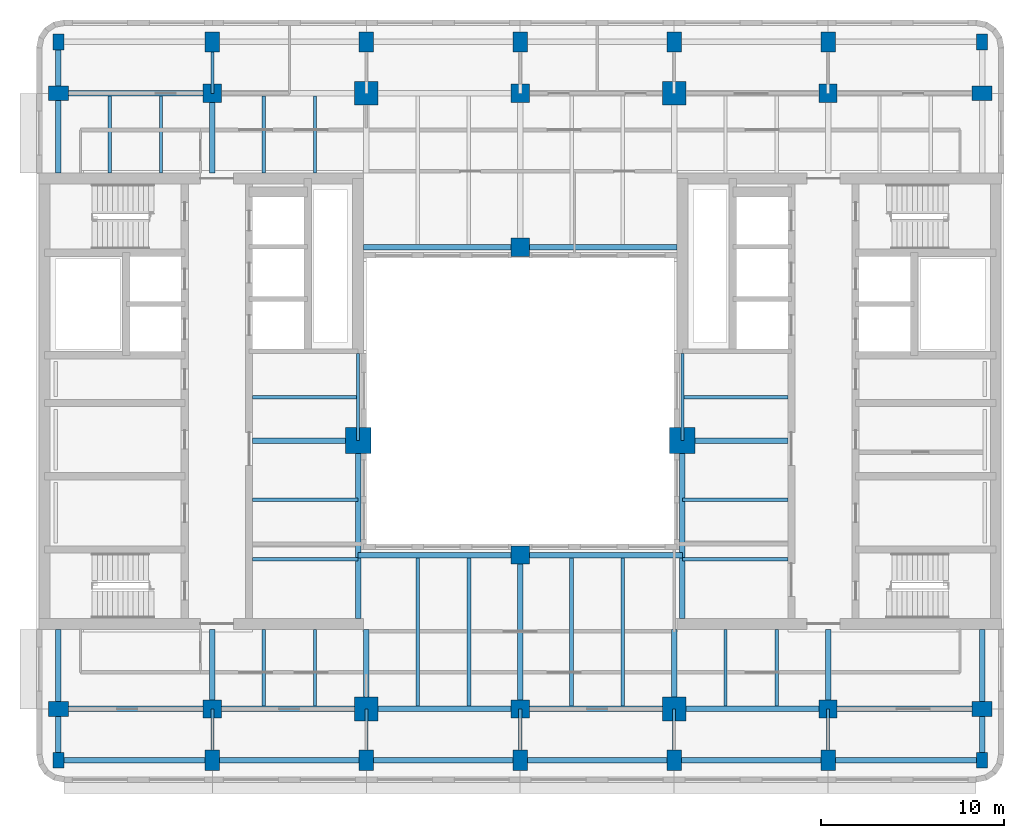
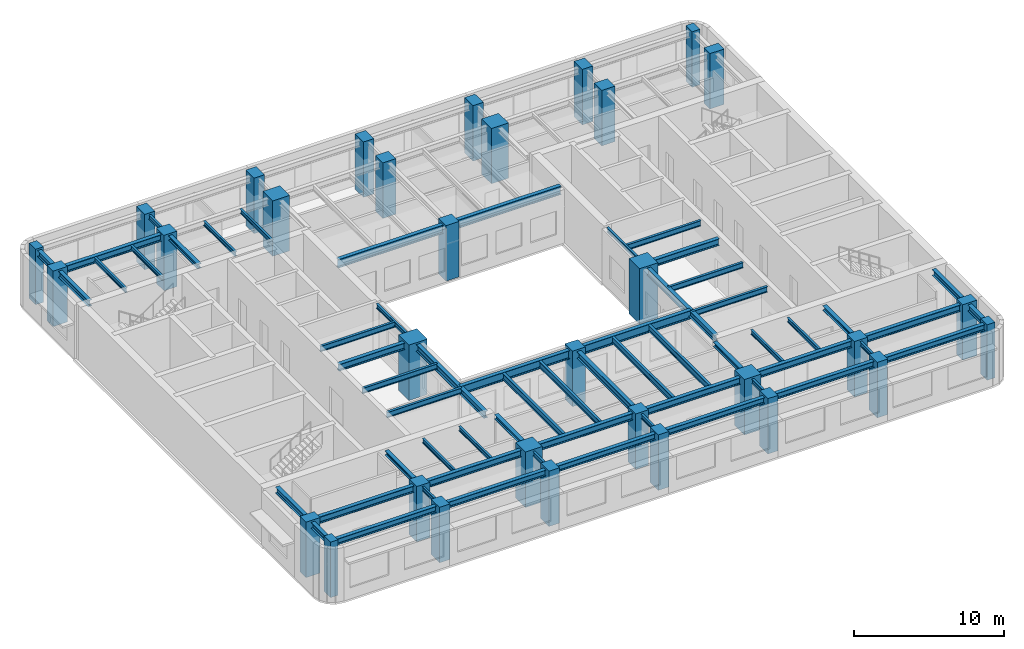
# One storey, part 1 of 11: 59 beams, 32 columns.
"""IFC4 building model written with IfcOpenShell, lengths in metres."""

from ifc_helpers import new_model, si_unit, direction, frame, origin, origin_2d, place, context, subcontext, project, spatial, rectangle, i_section, extrude, material, material_profile, profile_set, type_object, element, save


model = new_model("IFC4")

# Units and contexts
model_context = context("Model", 3, precision=1e-05, world=origin(), true_north=direction((0.0, 1.0)))
body_context = subcontext(model_context, "Body", "Model", "MODEL_VIEW")
ifc_project = project(units=[si_unit("LENGTHUNIT", "METRE"), si_unit("AREAUNIT", "SQUARE_METRE"), si_unit("VOLUMEUNIT", "CUBIC_METRE"), si_unit("PLANEANGLEUNIT", "RADIAN"), si_unit("MASSUNIT", "GRAM", prefix="KILO")], contexts=[model_context])

# Site, building, storey
site_placement = place(None, origin())
site = spatial("IfcSite", under=ifc_project, at=site_placement, CompositionType="ELEMENT")
building_placement = place(site_placement, origin())
building = spatial("IfcBuilding", under=site, at=building_placement, Name="Claustro Exchange Tower", CompositionType="ELEMENT")
storey_placement = place(building_placement, frame((0.0, 0.0, 272.699951171875)))
storey = spatial("IfcBuildingStorey", under=building, at=storey_placement, Name="L62", CompositionType="ELEMENT", Elevation=272.699951171875)

# Columns
ifc_material_1 = material(Name="Concrete HA-70 (C70/85)", Category="concrete")
ifc_material_profile_1 = material_profile(ifc_material_1, rectangle(XDim=1.39990234375, YDim=1.39990234375, at=origin_2d()), Name="RC 1400x1400")
ifc_profile_set_1 = profile_set([ifc_material_profile_1], Name="Concrete HA-70 (C70/85)")
column_type_1 = type_object("IfcColumnType", Name="C0 RC 1400x1400 HA-70 column", PredefinedType="COLUMN", material=ifc_profile_set_1)
for number, where, z_axis, x_axis, name in (
    (1, (16.35009765625, 23.050048828125, 0.0), (0.0, 0.0, 1.0), (1.0, 0.0, 0.0), "Column C0 2+7950/C+6250 L62"),
    (2, (34.050048828125, 23.050048828125, 0.0), (0.0, 0.0, 1.0), (1.0, 0.0, 0.0), "Column C0 5+450/C+6250 L62"),
):
    element("IfcColumn", number, at=place(storey_placement, frame(where, z_axis=z_axis, x_axis=x_axis)), inside=storey, type_object=column_type_1, Name=name, PredefinedType="COLUMN", context=body_context, shape_type="SweptSolid", body=[
        extrude(rectangle(XDim=1.39990234375, YDim=1.39990234375, at=origin_2d()), origin(), (0.0, 0.0, 1.0), 4.5),
    ])
ifc_material_2 = material(Name="Concrete HA-70 (C70/85)", Category="concrete")
ifc_material_profile_2 = material_profile(ifc_material_2, rectangle(XDim=1.0, YDim=1.0, at=origin_2d()), Name="RC 1000x1000")
ifc_profile_set_2 = profile_set([ifc_material_profile_2], Name="Concrete HA-70 (C70/85)")
column_type_2 = type_object("IfcColumnType", Name="C2 RC 1000x1000 HA-70 column", PredefinedType="COLUMN", material=ifc_profile_set_2)
for number, where, z_axis, x_axis, name in (
    (3, (8.39990234375, 8.39990234375, 0.0), (0.0, 0.0, 1.0), (1.0, 0.0, 0.0), "Column C2 2/B L62"),
    (4, (8.39990234375, 42.0, 0.0), (0.0, 0.0, 1.0), (1.0, 0.0, 0.0), "Column C2 2/F L62"),
    (5, (25.199951171875, 8.39990234375, 0.0), (0.0, 0.0, 1.0), (1.0, 0.0, 0.0), "Column C2 4/B L62"),
    (6, (25.199951171875, 42.0, 0.0), (0.0, 0.0, 1.0), (1.0, 0.0, 0.0), "Column C2 4/F L62"),
    (7, (25.199951171875, 16.800048828125, 0.0), (0.0, 0.0, 1.0), (1.0, 0.0, 0.0), "Column C2 4/C L62"),
    (8, (25.199951171875, 33.60009765625, 0.0), (0.0, 0.0, 1.0), (1.0, 0.0, 0.0), "Column C2 4/E L62"),
    (9, (42.0, 8.39990234375, 0.0), (0.0, 0.0, 1.0), (1.0, 0.0, 0.0), "Column C2 6/B L62"),
    (10, (42.0, 42.0, 0.0), (0.0, 0.0, 1.0), (1.0, 0.0, 0.0), "Column C2 6/F L62"),
):
    element("IfcColumn", number, at=place(storey_placement, frame(where, z_axis=z_axis, x_axis=x_axis)), inside=storey, type_object=column_type_2, Name=name, PredefinedType="COLUMN", context=body_context, shape_type="SweptSolid", body=[
        extrude(rectangle(XDim=1.0, YDim=1.0, at=origin_2d()), origin(), (0.0, 0.0, 1.0), 4.5),
    ])
ifc_material_3 = material(Name="Concrete HA-50 (C50/60)", Category="concrete")
ifc_material_profile_3 = material_profile(ifc_material_3, rectangle(XDim=0.800048828125, YDim=1.10009765625, at=origin_2d()), Name="RC 800x1100")
ifc_profile_set_3 = profile_set([ifc_material_profile_3], Name="Concrete HA-50 (C50/60)")
column_type_3 = type_object("IfcColumnType", Name="C23 RC 800x1100 HA-50 perimeter column", PredefinedType="COLUMN", material=ifc_profile_set_3)
for number, where, z_axis, x_axis, name in (
    (11, (0.0, 8.39990234375, 0.0), (0.0, 0.0, 1.0), (0.0, 1.0, 0.0), "Column C23 1/B L62"),
    (12, (0.0, 42.0, 0.0), (0.0, 0.0, 1.0), (0.0, 1.0, 0.0), "Column C23 1/F L62"),
    (13, (8.39990234375, 5.60009765625, 0.0), (0.0, 0.0, 1.0), (1.0, 0.0, 0.0), "Column C23 2/A+5600 L62"),
    (14, (8.39990234375, 44.800048828125, 0.0), (0.0, 0.0, 1.0), (1.0, 0.0, 0.0), "Column C23 2/F+2800 L62"),
    (15, (16.800048828125, 5.60009765625, 0.0), (0.0, 0.0, 1.0), (1.0, 0.0, 0.0), "Column C23 3/A+5600 L62"),
    (16, (16.800048828125, 44.800048828125, 0.0), (0.0, 0.0, 1.0), (1.0, 0.0, 0.0), "Column C23 3/F+2800 L62"),
    (17, (25.199951171875, 5.60009765625, 0.0), (0.0, 0.0, 1.0), (1.0, 0.0, 0.0), "Column C23 4/A+5600 L62"),
    (18, (25.199951171875, 44.800048828125, 0.0), (0.0, 0.0, 1.0), (1.0, 0.0, 0.0), "Column C23 4/F+2800 L62"),
    (19, (33.60009765625, 5.60009765625, 0.0), (0.0, 0.0, 1.0), (1.0, 0.0, 0.0), "Column C23 5/A+5600 L62"),
    (20, (33.60009765625, 44.800048828125, 0.0), (0.0, 0.0, 1.0), (1.0, 0.0, 0.0), "Column C23 5/F+2800 L62"),
    (21, (42.0, 5.60009765625, 0.0), (0.0, 0.0, 1.0), (1.0, 0.0, 0.0), "Column C23 6/A+5600 L62"),
    (22, (42.0, 44.800048828125, 0.0), (0.0, 0.0, 1.0), (1.0, 0.0, 0.0), "Column C23 6/F+2800 L62"),
    (23, (50.39990234375, 8.39990234375, 0.0), (0.0, 0.0, 1.0), (0.0, 1.0, 0.0), "Column C23 7/B L62"),
    (24, (50.39990234375, 42.0, 0.0), (0.0, 0.0, 1.0), (0.0, 1.0, 0.0), "Column C23 7/F L62"),
):
    element("IfcColumn", number, at=place(storey_placement, frame(where, z_axis=z_axis, x_axis=x_axis)), inside=storey, type_object=column_type_3, Name=name, PredefinedType="COLUMN", context=body_context, shape_type="SweptSolid", body=[
        extrude(rectangle(XDim=0.800048828125, YDim=1.10009765625, at=origin_2d()), origin(), (0.0, 0.0, 1.0), 4.5),
    ])
ifc_material_4 = material(Name="Concrete HA-50 (C50/60)", Category="concrete")
ifc_material_profile_4 = material_profile(ifc_material_4, rectangle(XDim=0.60009765625, YDim=0.85009765625, at=origin_2d()), Name="RC 600x850")
ifc_profile_set_4 = profile_set([ifc_material_profile_4], Name="Concrete HA-50 (C50/60)")
column_type_4 = type_object("IfcColumnType", Name="C25 RC 600x850 HA-50 corner column", PredefinedType="COLUMN", material=ifc_profile_set_4)
for number, where, z_axis, x_axis, name in (
    (25, (0.0, 5.60009765625, 0.0), (0.0, 0.0, 1.0), (1.0, 0.0, 0.0), "Column C25 1/A+5600 L62"),
    (26, (0.0, 44.800048828125, 0.0), (0.0, 0.0, 1.0), (1.0, 0.0, 0.0), "Column C25 1/F+2800 L62"),
    (27, (50.39990234375, 5.60009765625, 0.0), (0.0, 0.0, 1.0), (1.0, 0.0, 0.0), "Column C25 7/A+5600 L62"),
    (28, (50.39990234375, 44.800048828125, 0.0), (0.0, 0.0, 1.0), (1.0, 0.0, 0.0), "Column C25 7/F+2800 L62"),
):
    element("IfcColumn", number, at=place(storey_placement, frame(where, z_axis=z_axis, x_axis=x_axis)), inside=storey, type_object=column_type_4, Name=name, PredefinedType="COLUMN", context=body_context, shape_type="SweptSolid", body=[
        extrude(rectangle(XDim=0.60009765625, YDim=0.85009765625, at=origin_2d()), origin(), (0.0, 0.0, 1.0), 4.5),
    ])
ifc_material_5 = material(Name="Concrete HA-70 (C70/85)", Category="concrete")
ifc_material_profile_5 = material_profile(ifc_material_5, rectangle(XDim=1.300048828125, YDim=1.300048828125, at=origin_2d()), Name="RC 1300x1300")
ifc_profile_set_5 = profile_set([ifc_material_profile_5], Name="Concrete HA-70 (C70/85)")
column_type_5 = type_object("IfcColumnType", Name="C42 RC 1300x1300 HA-70 column", PredefinedType="COLUMN", material=ifc_profile_set_5)
for number, where, z_axis, x_axis, name in (
    (29, (16.800048828125, 8.39990234375, 0.0), (0.0, 0.0, 1.0), (1.0, 0.0, 0.0), "Column C42 3/B L62"),
    (30, (16.800048828125, 42.0, 0.0), (0.0, 0.0, 1.0), (1.0, 0.0, 0.0), "Column C42 3/F L62"),
    (31, (33.60009765625, 8.39990234375, 0.0), (0.0, 0.0, 1.0), (1.0, 0.0, 0.0), "Column C42 5/B L62"),
    (32, (33.60009765625, 42.0, 0.0), (0.0, 0.0, 1.0), (1.0, 0.0, 0.0), "Column C42 5/F L62"),
):
    element("IfcColumn", number, at=place(storey_placement, frame(where, z_axis=z_axis, x_axis=x_axis)), inside=storey, type_object=column_type_5, Name=name, PredefinedType="COLUMN", context=body_context, shape_type="SweptSolid", body=[
        extrude(rectangle(XDim=1.300048828125, YDim=1.300048828125, at=origin_2d()), origin(), (0.0, 0.0, 1.0), 4.5),
    ])

# Beams
ifc_material_6 = material(Name="Steel S355", Category="steel")
ifc_material_profile_6 = material_profile(ifc_material_6, i_section(OverallWidth=0.300048828125, OverallDepth=0.68994140625, WebThickness=0.014404296875, FlangeThickness=0.027099609375, FilletRadius=0.027099609375, at=origin_2d()), Name="HE 700 A")
ifc_profile_set_6 = profile_set([ifc_material_profile_6], Name="Steel S355")
beam_type_1 = type_object("IfcBeamType", Name="B13 HE 700 A light well edge girder", PredefinedType="BEAM", material=ifc_profile_set_6)
beam_1_placement = place(storey_placement, frame((16.35009765625, 16.800048828125, 4.005126953125), z_axis=(1.0, 0.0, 0.0), x_axis=(0.0, 1.0, 0.0)))
element("IfcBeam", 33, at=beam_1_placement, inside=storey, type_object=beam_type_1, Name="Beam B13 L63", PredefinedType="BEAM", context=body_context, shape_type="SweptSolid", body=[
    extrude(i_section(OverallWidth=0.300048828125, OverallDepth=0.68994140625, WebThickness=0.014404296875, FlangeThickness=0.027099609375, FilletRadius=0.027099609375, at=origin_2d()), origin(), (0.0, 0.0, 1.0), 8.849853515625),
])
beam_2_placement = place(storey_placement, frame((25.199951171875, 16.800048828125, 4.005126953125), z_axis=(1.0, 0.0, 0.0), x_axis=(0.0, 1.0, 0.0)))
element("IfcBeam", 34, at=beam_2_placement, inside=storey, type_object=beam_type_1, Name="Beam B13 L63", PredefinedType="BEAM", context=body_context, shape_type="SweptSolid", body=[
    extrude(i_section(OverallWidth=0.300048828125, OverallDepth=0.68994140625, WebThickness=0.014404296875, FlangeThickness=0.027099609375, FilletRadius=0.027099609375, at=origin_2d()), origin(), (0.0, 0.0, 1.0), 8.85009765625),
])
for number, where, z_axis, x_axis, name in (
    (35, (16.64990234375, 33.60009765625, 4.005126953125), (1.0, 0.0, 0.0), (0.0, 1.0, 0.0), "Beam B13 L63"),
    (36, (25.199951171875, 33.60009765625, 4.005126953125), (1.0, 0.0, 0.0), (0.0, 1.0, 0.0), "Beam B13 L63"),
):
    element("IfcBeam", number, at=place(storey_placement, frame(where, z_axis=z_axis, x_axis=x_axis)), inside=storey, type_object=beam_type_1, Name=name, PredefinedType="BEAM", context=body_context, shape_type="SweptSolid", body=[
        extrude(i_section(OverallWidth=0.300048828125, OverallDepth=0.68994140625, WebThickness=0.014404296875, FlangeThickness=0.027099609375, FilletRadius=0.027099609375, at=origin_2d()), origin(), (0.0, 0.0, 1.0), 8.550048828125),
    ])
ifc_material_7 = material(Name="Steel S355", Category="steel")
ifc_material_profile_7 = material_profile(ifc_material_7, i_section(OverallWidth=0.169921875, OverallDepth=0.360107421875, WebThickness=0.008056640625, FlangeThickness=0.0126953125, FilletRadius=0.01806640625, at=origin_2d()), Name="IPE 360")
ifc_profile_set_7 = profile_set([ifc_material_profile_7], Name="Steel S355")
beam_type_2 = type_object("IfcBeamType", Name="B16 IPE 360 short-span beam", PredefinedType="BEAM", material=ifc_profile_set_7)
beam_3_placement = place(storey_placement, frame((8.39990234375, 5.60009765625, 4.170166015625), z_axis=(0.0, 1.0, 0.0), x_axis=(-1.0, 0.0, 0.0)))
element("IfcBeam", 37, at=beam_3_placement, inside=storey, type_object=beam_type_2, Name="Beam B16 L63", PredefinedType="BEAM", context=body_context, shape_type="SweptSolid", body=[
    extrude(i_section(OverallWidth=0.169921875, OverallDepth=0.360107421875, WebThickness=0.008056640625, FlangeThickness=0.0126953125, FilletRadius=0.01806640625, at=origin_2d()), origin(), (0.0, 0.0, 1.0), 2.7998046875),
])
beam_4_placement = place(storey_placement, frame((8.39990234375, 42.0, 4.170166015625), z_axis=(0.0, 1.0, 0.0), x_axis=(-1.0, 0.0, 0.0)))
element("IfcBeam", 38, at=beam_4_placement, inside=storey, type_object=beam_type_2, Name="Beam B16 L63", PredefinedType="BEAM", context=body_context, shape_type="SweptSolid", body=[
    extrude(i_section(OverallWidth=0.169921875, OverallDepth=0.360107421875, WebThickness=0.008056640625, FlangeThickness=0.0126953125, FilletRadius=0.01806640625, at=origin_2d()), origin(), (0.0, 0.0, 1.0), 2.800048828125),
])
for number, where, z_axis, x_axis, name in (
    (39, (16.800048828125, 5.60009765625, 4.170166015625), (0.0, 1.0, 0.0), (-1.0, 0.0, 0.0), "Beam B16 L63"),
    (40, (25.199951171875, 5.60009765625, 4.170166015625), (0.0, 1.0, 0.0), (-1.0, 0.0, 0.0), "Beam B16 L63"),
    (41, (33.60009765625, 5.60009765625, 4.170166015625), (0.0, 1.0, 0.0), (-1.0, 0.0, 0.0), "Beam B16 L63"),
    (42, (42.0, 5.60009765625, 4.170166015625), (0.0, 1.0, 0.0), (-1.0, 0.0, 0.0), "Beam B16 L63"),
):
    element("IfcBeam", number, at=place(storey_placement, frame(where, z_axis=z_axis, x_axis=x_axis)), inside=storey, type_object=beam_type_2, Name=name, PredefinedType="BEAM", context=body_context, shape_type="SweptSolid", body=[
        extrude(i_section(OverallWidth=0.169921875, OverallDepth=0.360107421875, WebThickness=0.008056640625, FlangeThickness=0.0126953125, FilletRadius=0.01806640625, at=origin_2d()), origin(), (0.0, 0.0, 1.0), 2.7998046875),
    ])
for number, where, z_axis, x_axis, name in (
    (43, (2.800048828125, 37.64990234375, 4.170166015625), (0.0, 1.0, 0.0), (-1.0, 0.0, 0.0), "Beam B16 L63"),
    (44, (5.60009765625, 37.64990234375, 4.170166015625), (0.0, 1.0, 0.0), (-1.0, 0.0, 0.0), "Beam B16 L63"),
):
    element("IfcBeam", number, at=place(storey_placement, frame(where, z_axis=z_axis, x_axis=x_axis)), inside=storey, type_object=beam_type_2, Name=name, PredefinedType="BEAM", context=body_context, shape_type="SweptSolid", body=[
        extrude(i_section(OverallWidth=0.169921875, OverallDepth=0.360107421875, WebThickness=0.008056640625, FlangeThickness=0.0126953125, FilletRadius=0.01806640625, at=origin_2d()), origin(), (0.0, 0.0, 1.0), 4.2001953125),
    ])
for number, where, z_axis, x_axis, name in (
    (45, (11.199951171875, 8.550048828125, 4.170166015625), (0.0, 1.0, 0.0), (-1.0, 0.0, 0.0), "Beam B16 L63"),
    (46, (14.0, 8.550048828125, 4.170166015625), (0.0, 1.0, 0.0), (-1.0, 0.0, 0.0), "Beam B16 L63"),
):
    element("IfcBeam", number, at=place(storey_placement, frame(where, z_axis=z_axis, x_axis=x_axis)), inside=storey, type_object=beam_type_2, Name=name, PredefinedType="BEAM", context=body_context, shape_type="SweptSolid", body=[
        extrude(i_section(OverallWidth=0.169921875, OverallDepth=0.360107421875, WebThickness=0.008056640625, FlangeThickness=0.0126953125, FilletRadius=0.01806640625, at=origin_2d()), origin(), (0.0, 0.0, 1.0), 4.199951171875),
    ])
for number, where, z_axis, x_axis, name in (
    (47, (11.199951171875, 37.64990234375, 4.170166015625), (0.0, 1.0, 0.0), (-1.0, 0.0, 0.0), "Beam B16 L63"),
    (48, (14.0, 37.64990234375, 4.170166015625), (0.0, 1.0, 0.0), (-1.0, 0.0, 0.0), "Beam B16 L63"),
):
    element("IfcBeam", number, at=place(storey_placement, frame(where, z_axis=z_axis, x_axis=x_axis)), inside=storey, type_object=beam_type_2, Name=name, PredefinedType="BEAM", context=body_context, shape_type="SweptSolid", body=[
        extrude(i_section(OverallWidth=0.169921875, OverallDepth=0.360107421875, WebThickness=0.008056640625, FlangeThickness=0.0126953125, FilletRadius=0.01806640625, at=origin_2d()), origin(), (0.0, 0.0, 1.0), 4.2001953125),
    ])
for number, where, z_axis, x_axis, name in (
    (49, (36.39990234375, 8.550048828125, 4.170166015625), (0.0, 1.0, 0.0), (-1.0, 0.0, 0.0), "Beam B16 L63"),
    (50, (39.199951171875, 8.550048828125, 4.170166015625), (0.0, 1.0, 0.0), (-1.0, 0.0, 0.0), "Beam B16 L63"),
):
    element("IfcBeam", number, at=place(storey_placement, frame(where, z_axis=z_axis, x_axis=x_axis)), inside=storey, type_object=beam_type_2, Name=name, PredefinedType="BEAM", context=body_context, shape_type="SweptSolid", body=[
        extrude(i_section(OverallWidth=0.169921875, OverallDepth=0.360107421875, WebThickness=0.008056640625, FlangeThickness=0.0126953125, FilletRadius=0.01806640625, at=origin_2d()), origin(), (0.0, 0.0, 1.0), 4.199951171875),
    ])
for number, where, z_axis, x_axis, name in (
    (51, (16.35009765625, 23.050048828125, 4.170166015625), (0.0, 1.0, 0.0), (-1.0, 0.0, 0.0), "Beam B16 core step framing L63"),
    (52, (34.050048828125, 23.050048828125, 4.170166015625), (0.0, 1.0, 0.0), (-1.0, 0.0, 0.0), "Beam B16 core step framing L63"),
):
    element("IfcBeam", number, at=place(storey_placement, frame(where, z_axis=z_axis, x_axis=x_axis)), inside=storey, type_object=beam_type_2, Name=name, PredefinedType="BEAM", context=body_context, shape_type="SweptSolid", body=[
        extrude(i_section(OverallWidth=0.169921875, OverallDepth=0.360107421875, WebThickness=0.008056640625, FlangeThickness=0.0126953125, FilletRadius=0.01806640625, at=origin_2d()), origin(), (0.0, 0.0, 1.0), 4.75),
    ])
ifc_material_8 = material(Name="Steel S355", Category="steel")
ifc_material_profile_8 = material_profile(ifc_material_8, i_section(OverallWidth=0.300048828125, OverallDepth=0.550048828125, WebThickness=0.014892578125, FlangeThickness=0.029052734375, FilletRadius=0.027099609375, at=origin_2d()), Name="HE 550 B")
ifc_profile_set_8 = profile_set([ifc_material_profile_8], Name="Steel S355")
beam_type_3 = type_object("IfcBeamType", Name="B17 HE 550 B floor girder", PredefinedType="BEAM", material=ifc_profile_set_8)
beam_5_placement = place(storey_placement, frame((25.199951171875, 8.39990234375, 4.074951171875), z_axis=(0.0, 1.0, 0.0), x_axis=(-1.0, 0.0, 0.0)))
element("IfcBeam", 53, at=beam_5_placement, inside=storey, type_object=beam_type_3, Name="Beam B17 L63", PredefinedType="BEAM", context=body_context, shape_type="SweptSolid", body=[
    extrude(i_section(OverallWidth=0.300048828125, OverallDepth=0.550048828125, WebThickness=0.014892578125, FlangeThickness=0.029052734375, FilletRadius=0.027099609375, at=origin_2d()), origin(), (0.0, 0.0, 1.0), 8.400146484375),
])
beam_6_placement = place(storey_placement, frame((0.0, 8.39990234375, 4.074951171875), z_axis=(1.0, 0.0, 0.0), x_axis=(0.0, 1.0, 0.0)))
element("IfcBeam", 54, at=beam_6_placement, inside=storey, type_object=beam_type_3, Name="Beam B17 L63", PredefinedType="BEAM", context=body_context, shape_type="SweptSolid", body=[
    extrude(i_section(OverallWidth=0.300048828125, OverallDepth=0.550048828125, WebThickness=0.014892578125, FlangeThickness=0.029052734375, FilletRadius=0.027099609375, at=origin_2d()), origin(), (0.0, 0.0, 1.0), 8.39990234375),
])
beam_7_placement = place(storey_placement, frame((8.39990234375, 8.39990234375, 4.074951171875), z_axis=(1.0, 0.0, 0.0), x_axis=(0.0, 1.0, 0.0)))
element("IfcBeam", 55, at=beam_7_placement, inside=storey, type_object=beam_type_3, Name="Beam B17 L63", PredefinedType="BEAM", context=body_context, shape_type="SweptSolid", body=[
    extrude(i_section(OverallWidth=0.300048828125, OverallDepth=0.550048828125, WebThickness=0.014892578125, FlangeThickness=0.029052734375, FilletRadius=0.027099609375, at=origin_2d()), origin(), (0.0, 0.0, 1.0), 8.400146484375),
])
beam_8_placement = place(storey_placement, frame((16.800048828125, 8.39990234375, 4.074951171875), z_axis=(1.0, 0.0, 0.0), x_axis=(0.0, 1.0, 0.0)))
element("IfcBeam", 56, at=beam_8_placement, inside=storey, type_object=beam_type_3, Name="Beam B17 L63", PredefinedType="BEAM", context=body_context, shape_type="SweptSolid", body=[
    extrude(i_section(OverallWidth=0.300048828125, OverallDepth=0.550048828125, WebThickness=0.014892578125, FlangeThickness=0.029052734375, FilletRadius=0.027099609375, at=origin_2d()), origin(), (0.0, 0.0, 1.0), 8.39990234375),
])
beam_9_placement = place(storey_placement, frame((25.199951171875, 8.39990234375, 4.074951171875), z_axis=(1.0, 0.0, 0.0), x_axis=(0.0, 1.0, 0.0)))
element("IfcBeam", 57, at=beam_9_placement, inside=storey, type_object=beam_type_3, Name="Beam B17 L63", PredefinedType="BEAM", context=body_context, shape_type="SweptSolid", body=[
    extrude(i_section(OverallWidth=0.300048828125, OverallDepth=0.550048828125, WebThickness=0.014892578125, FlangeThickness=0.029052734375, FilletRadius=0.027099609375, at=origin_2d()), origin(), (0.0, 0.0, 1.0), 8.400146484375),
])
for number, where, z_axis, x_axis, name in (
    (58, (33.60009765625, 8.39990234375, 4.074951171875), (1.0, 0.0, 0.0), (0.0, 1.0, 0.0), "Beam B17 L63"),
    (59, (42.0, 8.39990234375, 4.074951171875), (1.0, 0.0, 0.0), (0.0, 1.0, 0.0), "Beam B17 L63"),
    (60, (0.0, 42.0, 4.074951171875), (1.0, 0.0, 0.0), (0.0, 1.0, 0.0), "Beam B17 L63"),
):
    element("IfcBeam", number, at=place(storey_placement, frame(where, z_axis=z_axis, x_axis=x_axis)), inside=storey, type_object=beam_type_3, Name=name, PredefinedType="BEAM", context=body_context, shape_type="SweptSolid", body=[
        extrude(i_section(OverallWidth=0.300048828125, OverallDepth=0.550048828125, WebThickness=0.014892578125, FlangeThickness=0.029052734375, FilletRadius=0.027099609375, at=origin_2d()), origin(), (0.0, 0.0, 1.0), 8.39990234375),
    ])
beam_10_placement = place(storey_placement, frame((10.60009765625, 23.050048828125, 4.074951171875), z_axis=(1.0, 0.0, 0.0), x_axis=(0.0, 1.0, 0.0)))
element("IfcBeam", 61, at=beam_10_placement, inside=storey, type_object=beam_type_3, Name="Beam B17 core step framing L63", PredefinedType="BEAM", context=body_context, shape_type="SweptSolid", body=[
    extrude(i_section(OverallWidth=0.300048828125, OverallDepth=0.550048828125, WebThickness=0.014892578125, FlangeThickness=0.029052734375, FilletRadius=0.027099609375, at=origin_2d()), origin(), (0.0, 0.0, 1.0), 5.75),
])
beam_11_placement = place(storey_placement, frame((16.35009765625, 13.35009765625, 4.074951171875), z_axis=(0.0, 1.0, 0.0), x_axis=(-1.0, 0.0, 0.0)))
element("IfcBeam", 62, at=beam_11_placement, inside=storey, type_object=beam_type_3, Name="Beam B17 core step framing L63", PredefinedType="BEAM", context=body_context, shape_type="SweptSolid", body=[
    extrude(i_section(OverallWidth=0.300048828125, OverallDepth=0.550048828125, WebThickness=0.014892578125, FlangeThickness=0.029052734375, FilletRadius=0.027099609375, at=origin_2d()), origin(), (0.0, 0.0, 1.0), 9.699951171875),
])
beam_12_placement = place(storey_placement, frame((34.050048828125, 23.050048828125, 4.074951171875), z_axis=(1.0, 0.0, 0.0), x_axis=(0.0, 1.0, 0.0)))
element("IfcBeam", 63, at=beam_12_placement, inside=storey, type_object=beam_type_3, Name="Beam B17 core step framing L63", PredefinedType="BEAM", context=body_context, shape_type="SweptSolid", body=[
    extrude(i_section(OverallWidth=0.300048828125, OverallDepth=0.550048828125, WebThickness=0.014892578125, FlangeThickness=0.029052734375, FilletRadius=0.027099609375, at=origin_2d()), origin(), (0.0, 0.0, 1.0), 5.75),
])
beam_13_placement = place(storey_placement, frame((34.050048828125, 13.35009765625, 4.074951171875), z_axis=(0.0, 1.0, 0.0), x_axis=(-1.0, 0.0, 0.0)))
element("IfcBeam", 64, at=beam_13_placement, inside=storey, type_object=beam_type_3, Name="Beam B17 core step framing L63", PredefinedType="BEAM", context=body_context, shape_type="SweptSolid", body=[
    extrude(i_section(OverallWidth=0.300048828125, OverallDepth=0.550048828125, WebThickness=0.014892578125, FlangeThickness=0.029052734375, FilletRadius=0.027099609375, at=origin_2d()), origin(), (0.0, 0.0, 1.0), 9.699951171875),
])
ifc_material_9 = material(Name="Steel S355", Category="steel")
ifc_material_profile_9 = material_profile(ifc_material_9, i_section(OverallWidth=0.300048828125, OverallDepth=0.360107421875, WebThickness=0.012451171875, FlangeThickness=0.0224609375, FilletRadius=0.027099609375, at=origin_2d()), Name="HE 360 B")
ifc_profile_set_9 = profile_set([ifc_material_profile_9], Name="Steel S355")
beam_type_4 = type_object("IfcBeamType", Name="B29 HE 360 B column to core link beam", PredefinedType="BEAM", material=ifc_profile_set_9)
for number, where, z_axis, x_axis, name in (
    (65, (8.39990234375, 8.39990234375, 4.170166015625), (0.0, 1.0, 0.0), (-1.0, 0.0, 0.0), "Beam B29 L63"),
    (66, (8.39990234375, 37.64990234375, 4.170166015625), (0.0, 1.0, 0.0), (-1.0, 0.0, 0.0), "Beam B29 L63"),
    (67, (16.800048828125, 8.39990234375, 4.170166015625), (0.0, 1.0, 0.0), (-1.0, 0.0, 0.0), "Beam B29 L63"),
    (68, (33.60009765625, 8.39990234375, 4.170166015625), (0.0, 1.0, 0.0), (-1.0, 0.0, 0.0), "Beam B29 L63"),
    (69, (42.0, 8.39990234375, 4.170166015625), (0.0, 1.0, 0.0), (-1.0, 0.0, 0.0), "Beam B29 L63"),
):
    element("IfcBeam", number, at=place(storey_placement, frame(where, z_axis=z_axis, x_axis=x_axis)), inside=storey, type_object=beam_type_4, Name=name, PredefinedType="BEAM", context=body_context, shape_type="SweptSolid", body=[
        extrude(i_section(OverallWidth=0.300048828125, OverallDepth=0.360107421875, WebThickness=0.012451171875, FlangeThickness=0.0224609375, FilletRadius=0.027099609375, at=origin_2d()), origin(), (0.0, 0.0, 1.0), 4.35009765625),
    ])
ifc_material_10 = material(Name="Steel S355", Category="steel")
ifc_material_profile_10 = material_profile(ifc_material_10, i_section(OverallWidth=0.18994140625, OverallDepth=0.449951171875, WebThickness=0.009521484375, FlangeThickness=0.0146484375, FilletRadius=0.02099609375, at=origin_2d()), Name="IPE 450")
ifc_profile_set_10 = profile_set([ifc_material_profile_10], Name="Steel S355")
beam_type_5 = type_object("IfcBeamType", Name="B8 IPE 450 secondary beam", PredefinedType="BEAM", material=ifc_profile_set_10)
for number, where, z_axis, x_axis, name in (
    (70, (10.60009765625, 16.583251953125, 4.125), (1.0, 0.0, 0.0), (0.0, 1.0, 0.0), "Beam B8 core step framing L63"),
    (71, (10.60009765625, 19.816650390625, 4.125), (1.0, 0.0, 0.0), (0.0, 1.0, 0.0), "Beam B8 core step framing L63"),
    (72, (10.60009765625, 25.425048828125, 4.125), (1.0, 0.0, 0.0), (0.0, 1.0, 0.0), "Beam B8 core step framing L63"),
    (73, (34.050048828125, 16.583251953125, 4.125), (1.0, 0.0, 0.0), (0.0, 1.0, 0.0), "Beam B8 core step framing L63"),
    (74, (34.050048828125, 19.816650390625, 4.125), (1.0, 0.0, 0.0), (0.0, 1.0, 0.0), "Beam B8 core step framing L63"),
    (75, (34.050048828125, 25.425048828125, 4.125), (1.0, 0.0, 0.0), (0.0, 1.0, 0.0), "Beam B8 core step framing L63"),
):
    element("IfcBeam", number, at=place(storey_placement, frame(where, z_axis=z_axis, x_axis=x_axis)), inside=storey, type_object=beam_type_5, Name=name, PredefinedType="BEAM", context=body_context, shape_type="SweptSolid", body=[
        extrude(i_section(OverallWidth=0.18994140625, OverallDepth=0.449951171875, WebThickness=0.009521484375, FlangeThickness=0.0146484375, FilletRadius=0.02099609375, at=origin_2d()), origin(), (0.0, 0.0, 1.0), 5.75),
    ])
ifc_material_11 = material(Name="Steel S355", Category="steel")
ifc_material_profile_11 = material_profile(ifc_material_11, i_section(OverallWidth=0.199951171875, OverallDepth=0.5, WebThickness=0.01025390625, FlangeThickness=0.01611328125, FilletRadius=0.02099609375, at=origin_2d()), Name="IPE 500")
ifc_profile_set_11 = profile_set([ifc_material_profile_11], Name="Steel S355")
beam_type_6 = type_object("IfcBeamType", Name="B8A IPE 500 secondary beam", PredefinedType="BEAM", material=ifc_profile_set_11)
for number, where, z_axis, x_axis, name in (
    (76, (19.60009765625, 8.550048828125, 4.10009765625), (0.0, 1.0, 0.0), (-1.0, 0.0, 0.0), "Beam B8A L63"),
    (77, (22.39990234375, 8.550048828125, 4.10009765625), (0.0, 1.0, 0.0), (-1.0, 0.0, 0.0), "Beam B8A L63"),
    (78, (28.0, 8.550048828125, 4.10009765625), (0.0, 1.0, 0.0), (-1.0, 0.0, 0.0), "Beam B8A L63"),
    (79, (30.800048828125, 8.550048828125, 4.10009765625), (0.0, 1.0, 0.0), (-1.0, 0.0, 0.0), "Beam B8A L63"),
):
    element("IfcBeam", number, at=place(storey_placement, frame(where, z_axis=z_axis, x_axis=x_axis)), inside=storey, type_object=beam_type_6, Name=name, PredefinedType="BEAM", context=body_context, shape_type="SweptSolid", body=[
        extrude(i_section(OverallWidth=0.199951171875, OverallDepth=0.5, WebThickness=0.01025390625, FlangeThickness=0.01611328125, FilletRadius=0.02099609375, at=origin_2d()), origin(), (0.0, 0.0, 1.0), 8.099853515625),
    ])
ifc_material_12 = material(Name="Steel S355", Category="steel")
ifc_material_profile_12 = material_profile(ifc_material_12, i_section(OverallWidth=0.300048828125, OverallDepth=0.489990234375, WebThickness=0.011962890625, FlangeThickness=0.02294921875, FilletRadius=0.027099609375, at=origin_2d()), Name="HE 500 A")
ifc_profile_set_12 = profile_set([ifc_material_profile_12], Name="Steel S355")
beam_type_7 = type_object("IfcBeamType", Name="B9 HE 500 A spandrel edge girder", PredefinedType="SPANDREL", material=ifc_profile_set_12)
beam_14_placement = place(storey_placement, frame((0.0, 5.60009765625, 4.10498046875), z_axis=(0.0, 1.0, 0.0), x_axis=(-1.0, 0.0, 0.0)))
element("IfcBeam", 80, at=beam_14_placement, inside=storey, type_object=beam_type_7, Name="Beam B9 L63", PredefinedType="SPANDREL", context=body_context, shape_type="SweptSolid", body=[
    extrude(i_section(OverallWidth=0.300048828125, OverallDepth=0.489990234375, WebThickness=0.011962890625, FlangeThickness=0.02294921875, FilletRadius=0.027099609375, at=origin_2d()), origin(), (0.0, 0.0, 1.0), 2.7998046875),
])
for number, where, z_axis, x_axis, name in (
    (81, (0.0, 8.39990234375, 4.10498046875), (0.0, 1.0, 0.0), (-1.0, 0.0, 0.0), "Beam B9 L63"),
    (82, (0.0, 37.64990234375, 4.10498046875), (0.0, 1.0, 0.0), (-1.0, 0.0, 0.0), "Beam B9 L63"),
):
    element("IfcBeam", number, at=place(storey_placement, frame(where, z_axis=z_axis, x_axis=x_axis)), inside=storey, type_object=beam_type_7, Name=name, PredefinedType="SPANDREL", context=body_context, shape_type="SweptSolid", body=[
        extrude(i_section(OverallWidth=0.300048828125, OverallDepth=0.489990234375, WebThickness=0.011962890625, FlangeThickness=0.02294921875, FilletRadius=0.027099609375, at=origin_2d()), origin(), (0.0, 0.0, 1.0), 4.35009765625),
    ])
beam_15_placement = place(storey_placement, frame((0.0, 42.0, 4.10498046875), z_axis=(0.0, 1.0, 0.0), x_axis=(-1.0, 0.0, 0.0)))
element("IfcBeam", 83, at=beam_15_placement, inside=storey, type_object=beam_type_7, Name="Beam B9 L63", PredefinedType="SPANDREL", context=body_context, shape_type="SweptSolid", body=[
    extrude(i_section(OverallWidth=0.300048828125, OverallDepth=0.489990234375, WebThickness=0.011962890625, FlangeThickness=0.02294921875, FilletRadius=0.027099609375, at=origin_2d()), origin(), (0.0, 0.0, 1.0), 2.800048828125),
])
beam_16_placement = place(storey_placement, frame((50.39990234375, 5.60009765625, 4.10498046875), z_axis=(0.0, 1.0, 0.0), x_axis=(-1.0, 0.0, 0.0)))
element("IfcBeam", 84, at=beam_16_placement, inside=storey, type_object=beam_type_7, Name="Beam B9 L63", PredefinedType="SPANDREL", context=body_context, shape_type="SweptSolid", body=[
    extrude(i_section(OverallWidth=0.300048828125, OverallDepth=0.489990234375, WebThickness=0.011962890625, FlangeThickness=0.02294921875, FilletRadius=0.027099609375, at=origin_2d()), origin(), (0.0, 0.0, 1.0), 2.7998046875),
])
beam_17_placement = place(storey_placement, frame((50.39990234375, 8.39990234375, 4.10498046875), z_axis=(0.0, 1.0, 0.0), x_axis=(-1.0, 0.0, 0.0)))
element("IfcBeam", 85, at=beam_17_placement, inside=storey, type_object=beam_type_7, Name="Beam B9 L63", PredefinedType="SPANDREL", context=body_context, shape_type="SweptSolid", body=[
    extrude(i_section(OverallWidth=0.300048828125, OverallDepth=0.489990234375, WebThickness=0.011962890625, FlangeThickness=0.02294921875, FilletRadius=0.027099609375, at=origin_2d()), origin(), (0.0, 0.0, 1.0), 4.35009765625),
])
beam_18_placement = place(storey_placement, frame((0.0, 5.60009765625, 4.10498046875), z_axis=(1.0, 0.0, 0.0), x_axis=(0.0, 1.0, 0.0)))
element("IfcBeam", 86, at=beam_18_placement, inside=storey, type_object=beam_type_7, Name="Beam B9 L63", PredefinedType="SPANDREL", context=body_context, shape_type="SweptSolid", body=[
    extrude(i_section(OverallWidth=0.300048828125, OverallDepth=0.489990234375, WebThickness=0.011962890625, FlangeThickness=0.02294921875, FilletRadius=0.027099609375, at=origin_2d()), origin(), (0.0, 0.0, 1.0), 8.39990234375),
])
beam_19_placement = place(storey_placement, frame((8.39990234375, 5.60009765625, 4.10498046875), z_axis=(1.0, 0.0, 0.0), x_axis=(0.0, 1.0, 0.0)))
element("IfcBeam", 87, at=beam_19_placement, inside=storey, type_object=beam_type_7, Name="Beam B9 L63", PredefinedType="SPANDREL", context=body_context, shape_type="SweptSolid", body=[
    extrude(i_section(OverallWidth=0.300048828125, OverallDepth=0.489990234375, WebThickness=0.011962890625, FlangeThickness=0.02294921875, FilletRadius=0.027099609375, at=origin_2d()), origin(), (0.0, 0.0, 1.0), 8.400146484375),
])
beam_20_placement = place(storey_placement, frame((16.800048828125, 5.60009765625, 4.10498046875), z_axis=(1.0, 0.0, 0.0), x_axis=(0.0, 1.0, 0.0)))
element("IfcBeam", 88, at=beam_20_placement, inside=storey, type_object=beam_type_7, Name="Beam B9 L63", PredefinedType="SPANDREL", context=body_context, shape_type="SweptSolid", body=[
    extrude(i_section(OverallWidth=0.300048828125, OverallDepth=0.489990234375, WebThickness=0.011962890625, FlangeThickness=0.02294921875, FilletRadius=0.027099609375, at=origin_2d()), origin(), (0.0, 0.0, 1.0), 8.39990234375),
])
beam_21_placement = place(storey_placement, frame((25.199951171875, 5.60009765625, 4.10498046875), z_axis=(1.0, 0.0, 0.0), x_axis=(0.0, 1.0, 0.0)))
element("IfcBeam", 89, at=beam_21_placement, inside=storey, type_object=beam_type_7, Name="Beam B9 L63", PredefinedType="SPANDREL", context=body_context, shape_type="SweptSolid", body=[
    extrude(i_section(OverallWidth=0.300048828125, OverallDepth=0.489990234375, WebThickness=0.011962890625, FlangeThickness=0.02294921875, FilletRadius=0.027099609375, at=origin_2d()), origin(), (0.0, 0.0, 1.0), 8.400146484375),
])
for number, where, z_axis, x_axis, name in (
    (90, (33.60009765625, 5.60009765625, 4.10498046875), (1.0, 0.0, 0.0), (0.0, 1.0, 0.0), "Beam B9 L63"),
    (91, (42.0, 5.60009765625, 4.10498046875), (1.0, 0.0, 0.0), (0.0, 1.0, 0.0), "Beam B9 L63"),
):
    element("IfcBeam", number, at=place(storey_placement, frame(where, z_axis=z_axis, x_axis=x_axis)), inside=storey, type_object=beam_type_7, Name=name, PredefinedType="SPANDREL", context=body_context, shape_type="SweptSolid", body=[
        extrude(i_section(OverallWidth=0.300048828125, OverallDepth=0.489990234375, WebThickness=0.011962890625, FlangeThickness=0.02294921875, FilletRadius=0.027099609375, at=origin_2d()), origin(), (0.0, 0.0, 1.0), 8.39990234375),
    ])

save(model, "model.ifc")
